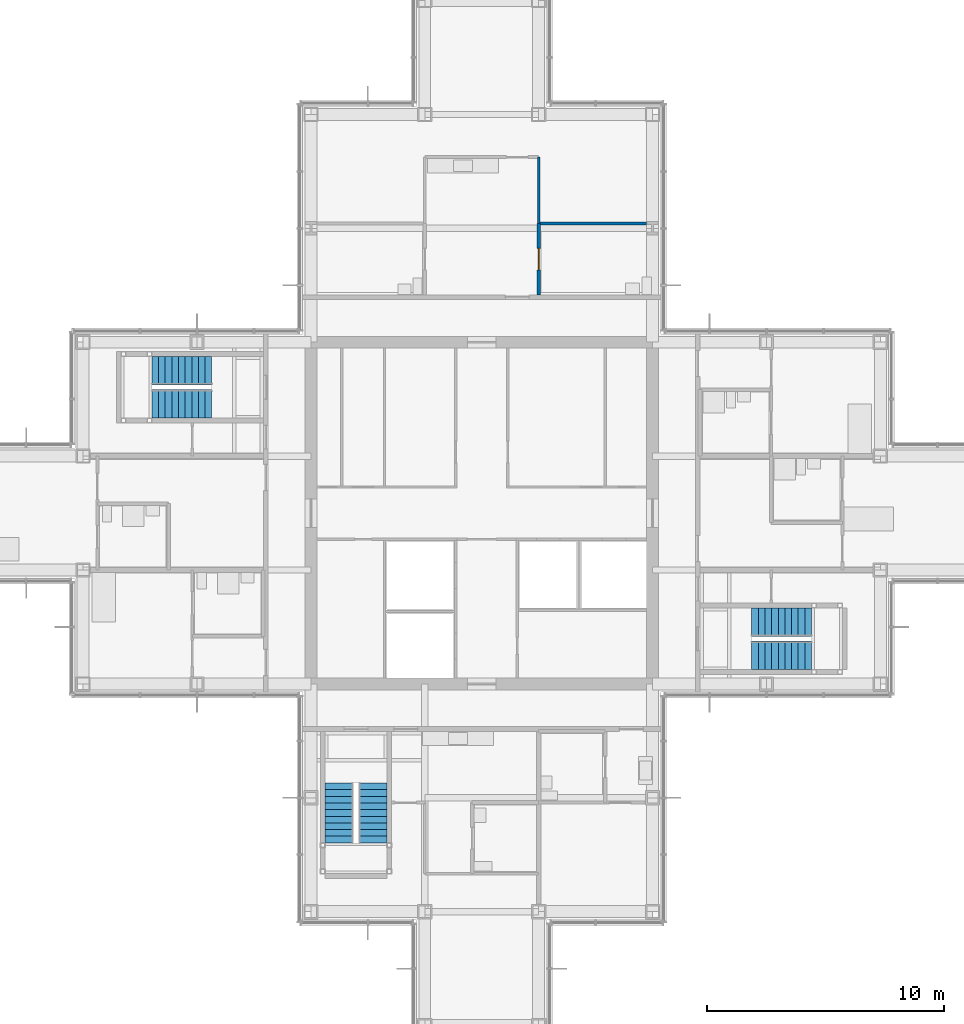
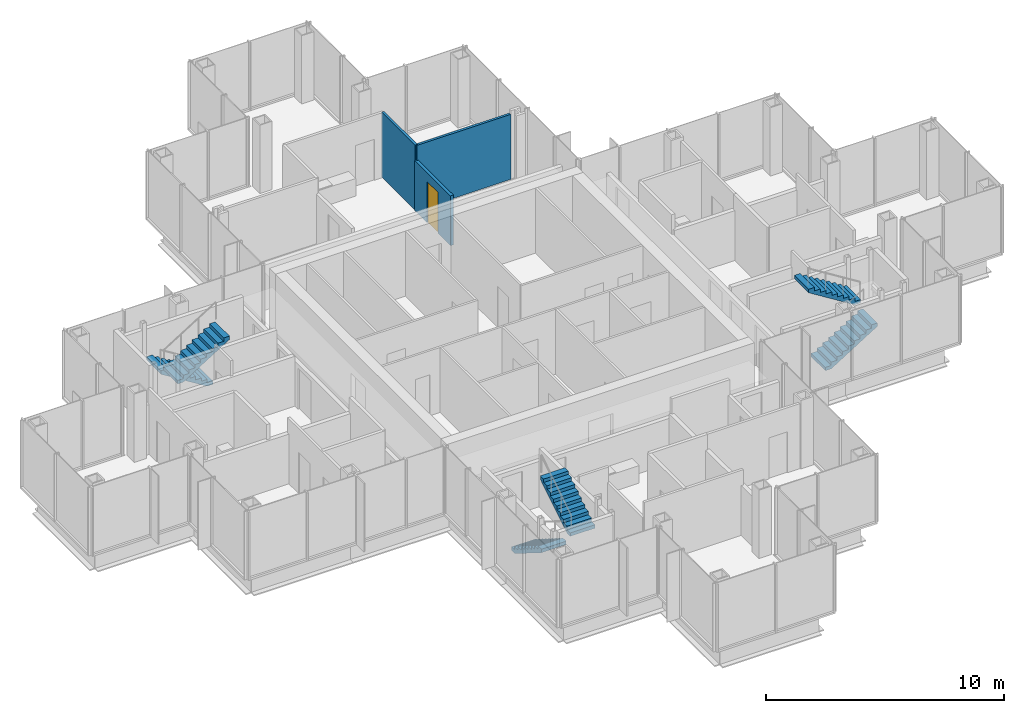
# One storey, part 14 of 17: 6 stair flights, 3 walls, 1 door, 1 opening, 3 elements without a shape of their own.
"""IFC4 building model written with IfcOpenShell, lengths in metres."""

from ifc_helpers import new_model, si_unit, direction, frame, frame_2d, origin, place, context, subcontext, project, spatial, polyline, rectangle, outline, extrude, material, layer, layer_set, type_object, element, fill, aggregate, save


model = new_model("IFC4")

# Units and contexts
model_context = context("Model", 3, precision=1e-05, world=origin(), true_north=direction((0.0, 1.0)))
body_context = subcontext(model_context, "Body", "Model", "MODEL_VIEW")
ifc_project = project(units=[si_unit("LENGTHUNIT", "METRE"), si_unit("AREAUNIT", "SQUARE_METRE"), si_unit("VOLUMEUNIT", "CUBIC_METRE"), si_unit("PLANEANGLEUNIT", "RADIAN"), si_unit("MASSUNIT", "GRAM", prefix="KILO")], contexts=[model_context])

# Site, building, storey
site_placement = place(None, origin())
site = spatial("IfcSite", under=ifc_project, at=site_placement, CompositionType="ELEMENT")
building_placement = place(site_placement, origin())
building = spatial("IfcBuilding", under=site, at=building_placement, Name="Kvirike Care Tower", CompositionType="ELEMENT")
storey_placement = place(building_placement, frame((0.0, 0.0, 162.0)))
storey = spatial("IfcBuildingStorey", under=building, at=storey_placement, Name="L44", CompositionType="ELEMENT", Elevation=162.0)

# Wall, opening, door
ifc_material_1 = material(Name="Moisture-resistant board partition", Category="gypsum")
ifc_layer_1 = layer(ifc_material_1, 0.14990234375)
ifc_layer_set_1 = layer_set([ifc_layer_1], Name="BATHROOM WALL 150")
wall_type_1 = type_object("IfcWallType", Name="BATHROOM WALL 150", PredefinedType="PARTITIONING", material=ifc_layer_set_1)
wall_1_placement = place(storey_placement, frame((24.0, 48.199951171875, 0.0), z_axis=(0.0, 0.0, 1.0), x_axis=(0.0, -1.0, 0.0)))
wall_1 = element("IfcWall", 1, at=wall_1_placement, inside=storey, type_object=wall_type_1, Name="Bathroom Wall 150 L44", PredefinedType="PARTITIONING", context=body_context, shape_type="SweptSolid", body=[
    extrude(rectangle(XDim=3.0, YDim=0.14990234375, at=frame_2d((1.5, 0.0))), origin(), (0.0, 0.0, 1.0), 2.550048828125),
])
opening_placement = place(wall_1_placement, frame((1.050048828125, 0.0, 0.0)))
opening = element("IfcOpeningElement", 2, at=opening_placement, cuts=wall_1, Name="Opening 44-017", PredefinedType="OPENING", context=body_context, shape_type="SweptSolid", body=[
    extrude(rectangle(XDim=0.89990234375, YDim=2.10009765625, at=frame_2d((0.449951171875, 1.050048828125))), frame((0.0, 0.08544921875, 0.0), z_axis=(0.0, -1.0, 0.0), x_axis=(1.0, 0.0, 0.0)), (0.0, 0.0, 1.0), 0.1708984375),
])
ifc_material_2 = material(Name="Timber door set", Category="wood")
door_type = type_object("IfcDoorType", Name="BATHROOM DOOR 900", OperationType="SINGLE_SWING_RIGHT", PredefinedType="DOOR", material=ifc_material_2)
door_placement = place(opening_placement, origin())
door = element("IfcDoor", 3, at=door_placement, inside=storey, type_object=door_type, Name="Accessible WC door", OperationType="SINGLE_SWING_RIGHT", OverallHeight=2.10009765625, OverallWidth=0.89990234375, PredefinedType="DOOR", context=body_context, shape_type="SweptSolid", body=[
    extrude(rectangle(XDim=0.89990234375, YDim=2.10009765625, at=frame_2d((0.449951171875, 1.050048828125))), frame((0.0, 0.02197265625, 0.0), z_axis=(0.0, -1.0, 0.0), x_axis=(1.0, 0.0, 0.0)), (0.0, 0.0, 1.0), 0.0439453125),
])
fill(opening, door)

# Walls
ifc_material_3 = material(Name="Plasterboard partition", Category="gypsum")
ifc_layer_2 = layer(ifc_material_3, 0.1201171875)
ifc_layer_set_2 = layer_set([ifc_layer_2], Name="PARTITION 120")
wall_type_2 = type_object("IfcWallType", Name="PARTITION 120", PredefinedType="PARTITIONING", material=ifc_layer_set_2)
wall_2_placement = place(storey_placement, frame((28.552978515625, 48.199951171875, 0.0), z_axis=(0.0, 0.0, 1.0), x_axis=(-1.0, 0.0, 0.0)))
element("IfcWall", 4, at=wall_2_placement, inside=storey, type_object=wall_type_2, Name="Partition 120 L44", PredefinedType="PARTITIONING", context=body_context, shape_type="SweptSolid", body=[
    extrude(rectangle(XDim=4.552978515625, YDim=0.1201171875, at=frame_2d((2.2763671875, 0.0))), origin(), (0.0, 0.0, 1.0), 3.330078125),
])
wall_3_placement = place(storey_placement, frame((24.0, 51.0, 0.0), z_axis=(0.0, 0.0, 1.0), x_axis=(0.0, -1.0, 0.0)))
element("IfcWall", 5, at=wall_3_placement, inside=storey, type_object=wall_type_2, Name="Partition 120 L44", PredefinedType="PARTITIONING", context=body_context, shape_type="SweptSolid", body=[
    extrude(rectangle(XDim=2.800048828125, YDim=0.1201171875, at=frame_2d((1.39990234375, 0.0))), origin(), (0.0, 0.0, 1.0), 3.330078125),
])

# Stair, stair flights
ifc_material_4 = material(Name="Concrete C35/45", Category="concrete")
stair_type = type_object("IfcStairType", Name="STAIR 20 RISERS", PredefinedType="HALF_TURN_STAIR", material=ifc_material_4)
stair_1_placement = place(storey_placement, origin())
stair_1 = element("IfcStair", 6, at=stair_1_placement, inside=storey, type_object=stair_type, Name="Stair 1 L44", PredefinedType="HALF_TURN_STAIR")
ifc_material_5 = material(Name="Concrete C35/45", Category="concrete")
stair_flight_type = type_object("IfcStairFlightType", Name="FLIGHT 10 RISERS", PredefinedType="STRAIGHT", material=ifc_material_5)
stair_flight_1_placement = place(storey_placement, frame((10.219970703125, 42.0, 0.0), z_axis=(0.0, 0.0, 1.0), x_axis=(-1.0, 0.0, 0.0)))
stair_flight_1 = element("IfcStairFlight", 7, at=stair_flight_1_placement, type_object=stair_flight_type, Name="Stair S1 flight 1 L44-L45", NumberOfRisers=10, NumberOfTreads=9, PredefinedType="STRAIGHT", RiserHeight=0.175, TreadLength=0.28, context=body_context, shape_type="SweptSolid", body=[
    extrude(outline(polyline([(0.0, 0.0), (0.0, 0.175048828125), (0.280029296875, 0.175048828125), (0.280029296875, 0.35009765625), (0.56005859375, 0.35009765625), (0.56005859375, 0.52490234375), (0.840087890625, 0.52490234375), (0.840087890625, 0.699951171875), (1.1201171875, 0.699951171875), (1.1201171875, 0.875), (1.39990234375, 0.875), (1.39990234375, 1.050048828125), (1.679931640625, 1.050048828125), (1.679931640625, 1.22509765625), (1.9599609375, 1.22509765625), (1.9599609375, 1.39990234375), (2.239990234375, 1.39990234375), (2.239990234375, 1.574951171875), (2.52001953125, 1.574951171875), (2.52001953125, 1.75), (2.52001953125, 1.398193359375), (0.28271484375, 0.0), (0.0, 0.0)])), frame((0.0, 0.60009765625, 0.0), z_axis=(0.0, -1.0, 0.0), x_axis=(1.0, 0.0, 0.0)), (0.0, 0.0, 1.0), 1.199951171875),
])
stair_flight_2_placement = place(storey_placement, frame((7.699951171875, 40.60009765625, 1.75), z_axis=(0.0, 0.0, 1.0), x_axis=(1.0, 0.0, 0.0)))
stair_flight_2 = element("IfcStairFlight", 8, at=stair_flight_2_placement, type_object=stair_flight_type, Name="Stair S1 flight 2 L44-L45", NumberOfRisers=10, NumberOfTreads=9, PredefinedType="STRAIGHT", RiserHeight=0.175, TreadLength=0.28, context=body_context, shape_type="SweptSolid", body=[
    extrude(outline(polyline([(0.0, 0.0), (0.0, 0.175048828125), (0.280029296875, 0.175048828125), (0.280029296875, 0.35009765625), (0.56005859375, 0.35009765625), (0.56005859375, 0.52490234375), (0.840087890625, 0.52490234375), (0.840087890625, 0.699951171875), (1.1201171875, 0.699951171875), (1.1201171875, 0.875), (1.39990234375, 0.875), (1.39990234375, 1.050048828125), (1.679931640625, 1.050048828125), (1.679931640625, 1.22509765625), (1.9599609375, 1.22509765625), (1.9599609375, 1.39990234375), (2.239990234375, 1.39990234375), (2.239990234375, 1.574951171875), (2.52001953125, 1.574951171875), (2.52001953125, 1.75), (2.52001953125, 1.398193359375), (0.28271484375, 0.0), (0.0, 0.0)])), frame((0.0, 0.60009765625, 0.0), z_axis=(0.0, -1.0, 0.0), x_axis=(1.0, 0.0, 0.0)), (0.0, 0.0, 1.0), 1.199951171875),
])
aggregate(stair_1, [stair_flight_1, stair_flight_2])

stair_2_placement = place(storey_placement, origin())
stair_2 = element("IfcStair", 9, at=stair_2_placement, inside=storey, type_object=stair_type, Name="Stair 2 L44", PredefinedType="HALF_TURN_STAIR")
stair_flight_3_placement = place(storey_placement, frame((32.97998046875, 30.0, 0.0), z_axis=(0.0, 0.0, 1.0), x_axis=(1.0, 0.0, 0.0)))
stair_flight_3 = element("IfcStairFlight", 10, at=stair_flight_3_placement, type_object=stair_flight_type, Name="Stair S2 flight 1 L44-L45", NumberOfRisers=10, NumberOfTreads=9, PredefinedType="STRAIGHT", RiserHeight=0.175, TreadLength=0.28, context=body_context, shape_type="SweptSolid", body=[
    extrude(outline(polyline([(0.0, 0.0), (0.0, 0.175048828125), (0.280029296875, 0.175048828125), (0.280029296875, 0.35009765625), (0.56005859375, 0.35009765625), (0.56005859375, 0.52490234375), (0.840087890625, 0.52490234375), (0.840087890625, 0.699951171875), (1.1201171875, 0.699951171875), (1.1201171875, 0.875), (1.39990234375, 0.875), (1.39990234375, 1.050048828125), (1.679931640625, 1.050048828125), (1.679931640625, 1.22509765625), (1.9599609375, 1.22509765625), (1.9599609375, 1.39990234375), (2.239990234375, 1.39990234375), (2.239990234375, 1.574951171875), (2.52001953125, 1.574951171875), (2.52001953125, 1.75), (2.52001953125, 1.398193359375), (0.28271484375, 0.0), (0.0, 0.0)])), frame((0.0, 0.60009765625, 0.0), z_axis=(0.0, -1.0, 0.0), x_axis=(1.0, 0.0, 0.0)), (0.0, 0.0, 1.0), 1.199951171875),
])
stair_flight_4_placement = place(storey_placement, frame((35.5, 31.39990234375, 1.75), z_axis=(0.0, 0.0, 1.0), x_axis=(-1.0, 0.0, 0.0)))
stair_flight_4 = element("IfcStairFlight", 11, at=stair_flight_4_placement, type_object=stair_flight_type, Name="Stair S2 flight 2 L44-L45", NumberOfRisers=10, NumberOfTreads=9, PredefinedType="STRAIGHT", RiserHeight=0.175, TreadLength=0.28, context=body_context, shape_type="SweptSolid", body=[
    extrude(outline(polyline([(0.0, 0.0), (0.0, 0.175048828125), (0.280029296875, 0.175048828125), (0.280029296875, 0.35009765625), (0.56005859375, 0.35009765625), (0.56005859375, 0.52490234375), (0.840087890625, 0.52490234375), (0.840087890625, 0.699951171875), (1.1201171875, 0.699951171875), (1.1201171875, 0.875), (1.39990234375, 0.875), (1.39990234375, 1.050048828125), (1.679931640625, 1.050048828125), (1.679931640625, 1.22509765625), (1.9599609375, 1.22509765625), (1.9599609375, 1.39990234375), (2.239990234375, 1.39990234375), (2.239990234375, 1.574951171875), (2.52001953125, 1.574951171875), (2.52001953125, 1.75), (2.52001953125, 1.398193359375), (0.28271484375, 0.0), (0.0, 0.0)])), frame((0.0, 0.60009765625, 0.0), z_axis=(0.0, -1.0, 0.0), x_axis=(1.0, 0.0, 0.0)), (0.0, 0.0, 1.0), 1.199951171875),
])
aggregate(stair_2, [stair_flight_3, stair_flight_4])

stair_3_placement = place(storey_placement, origin())
stair_3 = element("IfcStair", 12, at=stair_3_placement, inside=storey, type_object=stair_type, Name="Stair 5 L44", PredefinedType="HALF_TURN_STAIR")
stair_flight_5_placement = place(storey_placement, frame((15.60009765625, 24.6201171875, 0.0), z_axis=(0.0, 0.0, 1.0), x_axis=(0.0, -1.0, 0.0)))
stair_flight_5 = element("IfcStairFlight", 13, at=stair_flight_5_placement, type_object=stair_flight_type, Name="Stair S5 flight 1 L44-L45", NumberOfRisers=10, NumberOfTreads=9, PredefinedType="STRAIGHT", RiserHeight=0.175, TreadLength=0.28, context=body_context, shape_type="SweptSolid", body=[
    extrude(outline(polyline([(0.0, 0.0), (0.0, 0.175048828125), (0.280029296875, 0.175048828125), (0.280029296875, 0.35009765625), (0.56005859375, 0.35009765625), (0.56005859375, 0.52490234375), (0.840087890625, 0.52490234375), (0.840087890625, 0.699951171875), (1.1201171875, 0.699951171875), (1.1201171875, 0.875), (1.39990234375, 0.875), (1.39990234375, 1.050048828125), (1.679931640625, 1.050048828125), (1.679931640625, 1.22509765625), (1.9599609375, 1.22509765625), (1.9599609375, 1.39990234375), (2.239990234375, 1.39990234375), (2.239990234375, 1.574951171875), (2.52001953125, 1.574951171875), (2.52001953125, 1.75), (2.52001953125, 1.398193359375), (0.28271484375, 0.0), (0.0, 0.0)])), frame((0.0, 0.60009765625, 0.0), z_axis=(0.0, -1.0, 0.0), x_axis=(1.0, 0.0, 0.0)), (0.0, 0.0, 1.0), 1.199951171875),
])
stair_flight_6_placement = place(storey_placement, frame((17.0, 22.10009765625, 1.75), z_axis=(0.0, 0.0, 1.0), x_axis=(0.0, 1.0, 0.0)))
stair_flight_6 = element("IfcStairFlight", 14, at=stair_flight_6_placement, type_object=stair_flight_type, Name="Stair S5 flight 2 L44-L45", NumberOfRisers=10, NumberOfTreads=9, PredefinedType="STRAIGHT", RiserHeight=0.175, TreadLength=0.28, context=body_context, shape_type="SweptSolid", body=[
    extrude(outline(polyline([(0.0, 0.0), (0.0, 0.175048828125), (0.280029296875, 0.175048828125), (0.280029296875, 0.35009765625), (0.56005859375, 0.35009765625), (0.56005859375, 0.52490234375), (0.840087890625, 0.52490234375), (0.840087890625, 0.699951171875), (1.1201171875, 0.699951171875), (1.1201171875, 0.875), (1.39990234375, 0.875), (1.39990234375, 1.050048828125), (1.679931640625, 1.050048828125), (1.679931640625, 1.22509765625), (1.9599609375, 1.22509765625), (1.9599609375, 1.39990234375), (2.239990234375, 1.39990234375), (2.239990234375, 1.574951171875), (2.52001953125, 1.574951171875), (2.52001953125, 1.75), (2.52001953125, 1.398193359375), (0.28271484375, 0.0), (0.0, 0.0)])), frame((0.0, 0.60009765625, 0.0), z_axis=(0.0, -1.0, 0.0), x_axis=(1.0, 0.0, 0.0)), (0.0, 0.0, 1.0), 1.199951171875),
])
aggregate(stair_3, [stair_flight_5, stair_flight_6])

save(model, "model.ifc")
